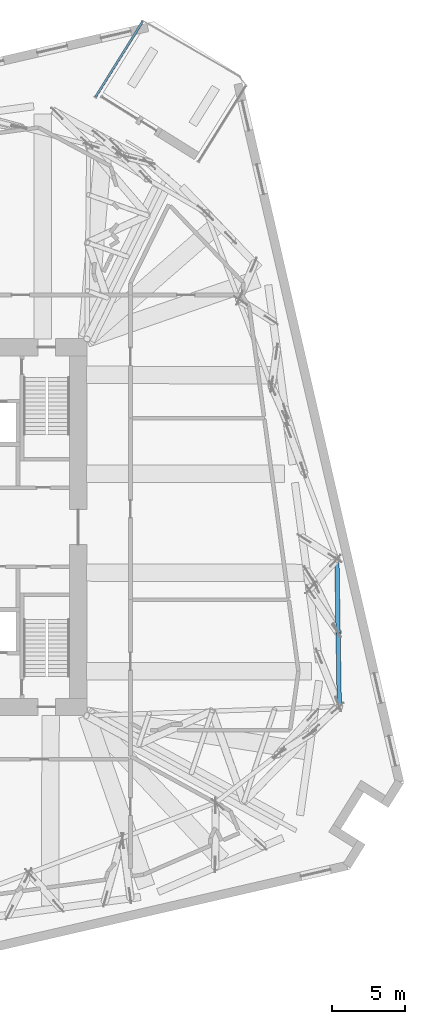
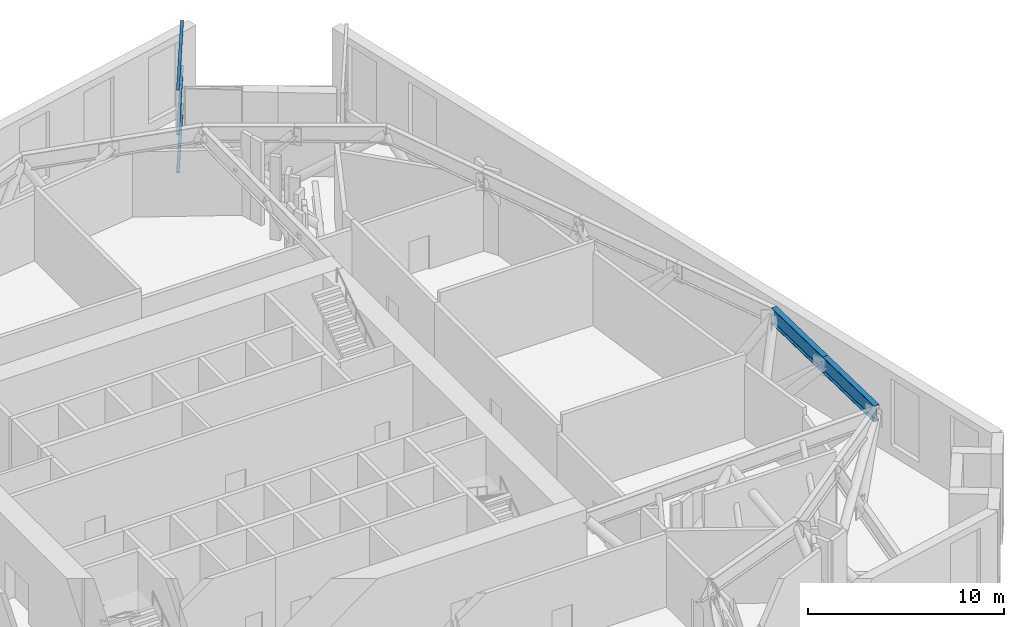
# One storey, part 5 of 17: 3 members, 2 beams, 1 element without a shape of its own.
"""IFC4 building model written with IfcOpenShell, lengths in metres."""

import ifcopenshell
import ifcopenshell.guid

model = None  # the IFC model being written
_history = None  # IfcOwnerHistory: only IFC2X3 demands one
_inside = {}  # id of a spatial element -> (the spatial element, [elements in it])
_under = {}  # id of a project, library or spatial element -> (it, [spatial elements below it])
_declared = {}  # id of a project -> (the project, [libraries it declares])
_typed = {}  # id of a type object -> (the type object, [elements of that type])
_made_of = {}  # id of a material, layer set ... -> (it, [elements and type objects made of it])


def new_model(schema):
    """Start an empty IFC model of exactly this schema.

    Asked for "IFC4X3", IfcOpenShell would pick the latest addendum, in which some entities
    have other attributes; the version numbers below select the first issue.
    IFC2X3 requires an IfcOwnerHistory on every rooted entity: one is made here for all.
    """
    global model, _history
    if schema == "IFC4X3":
        model = ifcopenshell.file(schema_version=(4, 3, 0, 0))
    else:
        model = ifcopenshell.file(schema=schema)
    _inside.clear()
    _under.clear()
    _declared.clear()
    _typed.clear()
    _made_of.clear()
    _history = None
    if model.schema == "IFC2X3":
        org = make("IfcOrganization", Name="unknown")
        user = make(
            "IfcPersonAndOrganization",
            ThePerson=make("IfcPerson", FamilyName="unknown"),
            TheOrganization=org,
        )
        app = make(
            "IfcApplication",
            ApplicationDeveloper=org,
            Version="unknown",
            ApplicationFullName="unknown",
            ApplicationIdentifier="unknown",
        )
        _history = make(
            "IfcOwnerHistory",
            OwningUser=user,
            OwningApplication=app,
            ChangeAction="ADDED",
            CreationDate=0,
        )
    return model


def make(cls, **values):
    """One entity of the class cls with the attributes given. An attribute that is None is left unset."""
    return model.create_entity(
        cls, **{name: value for name, value in values.items() if value is not None}
    )


def rooted(cls, **values):
    """An entity with a GlobalId (a new one), such as an element, a storey or a relation."""
    return make(cls, GlobalId=ifcopenshell.guid.new(), OwnerHistory=_history, **values)


def si_unit(unit_type, name, prefix=None):
    """IfcSIUnit, for example si_unit("LENGTHUNIT", "METRE", prefix="MILLI")."""
    return make("IfcSIUnit", UnitType=unit_type, Prefix=prefix, Name=name)


def assignment(units):
    """IfcUnitAssignment: the units of a project."""
    return None if units is None else make("IfcUnitAssignment", Units=units)


def point(xyz):
    """IfcCartesianPoint."""
    return None if xyz is None else make("IfcCartesianPoint", Coordinates=xyz)


def direction(xyz):
    """IfcDirection."""
    return None if xyz is None else make("IfcDirection", DirectionRatios=xyz)


def frame(location, z_axis=None, x_axis=None):
    """IfcAxis2Placement3D, a coordinate frame: its origin and axes. An axis left out is left unset."""
    return make(
        "IfcAxis2Placement3D",
        Location=point(location),
        Axis=direction(z_axis),
        RefDirection=direction(x_axis),
    )


def frame_2d(location, x_axis=None):
    """IfcAxis2Placement2D, a coordinate frame in the plane: its origin and x axis."""
    return make(
        "IfcAxis2Placement2D", Location=point(location), RefDirection=direction(x_axis)
    )


def origin():
    """The frame at (0, 0, 0) with its axes left unset."""
    return frame((0.0, 0.0, 0.0))


def origin_2d():
    """The frame at (0, 0) in the plane with its x axis left unset."""
    return frame_2d((0.0, 0.0))


def place(relative_to, where):
    """IfcLocalPlacement: puts the frame where relative to a parent placement (None: the world)."""
    return make(
        "IfcLocalPlacement", PlacementRelTo=relative_to, RelativePlacement=where
    )


def context(
    kind, dimensions, precision=None, world=None, true_north=None, identifier=None
):
    """IfcGeometricRepresentationContext, for example the 3D "Model" context."""
    return make(
        "IfcGeometricRepresentationContext",
        ContextIdentifier=identifier,
        ContextType=kind,
        CoordinateSpaceDimension=dimensions,
        Precision=precision,
        WorldCoordinateSystem=world,
        TrueNorth=true_north,
    )


def subcontext(parent, identifier, kind, view, scale=None):
    """IfcGeometricRepresentationSubContext, for example "Body" below "Model"."""
    return make(
        "IfcGeometricRepresentationSubContext",
        ContextIdentifier=identifier,
        ContextType=kind,
        ParentContext=parent,
        TargetScale=scale,
        TargetView=view,
    )


def project(units=None, contexts=None):
    """IfcProject with its units and contexts."""
    return rooted(
        "IfcProject",
        Name="project",
        RepresentationContexts=contexts,
        UnitsInContext=assignment(units),
    )


def spatial(cls, under=None, at=None, **own):
    """A site, building, storey or space (cls), placed at a placement, below another one or the project."""
    s = rooted(cls, ObjectPlacement=at, **own)
    if under is not None:
        _under.setdefault(under.id(), (under, []))[1].append(s)
    return s


def profile(cls, at=None, kind="AREA", **sizes):
    """A parametric profile (cls). Its sizes go by their IFC names, for example OverallWidth=200.0."""
    return make(cls, ProfileType=kind, Position=at, **sizes)


def rectangle(**sizes):
    """IfcRectangleProfileDef."""
    return profile("IfcRectangleProfileDef", **sizes)


def i_section(**sizes):
    """IfcIShapeProfileDef."""
    return profile("IfcIShapeProfileDef", **sizes)


def extrude(swept, where, along, depth):
    """IfcExtrudedAreaSolid: the profile swept, set in the frame where, extruded along a direction by depth."""
    return make(
        "IfcExtrudedAreaSolid",
        SweptArea=swept,
        Position=where,
        ExtrudedDirection=direction(along),
        Depth=depth,
    )


def shape(context_of_items, identifier, shape_type, items):
    """IfcShapeRepresentation: the items that make up one representation, for example the "Body"."""
    return make(
        "IfcShapeRepresentation",
        ContextOfItems=context_of_items,
        RepresentationIdentifier=identifier,
        RepresentationType=shape_type,
        Items=items,
    )


def material(Name=None, Category=None):
    """IfcMaterial."""
    return make("IfcMaterial", Name=Name, Category=Category)


def material_profile(
    of_material, cross_section, Name=None, Category=None, Priority=None
):
    """IfcMaterialProfile: a cross section and its material."""
    return make(
        "IfcMaterialProfile",
        Name=Name,
        Material=of_material,
        Profile=cross_section,
        Priority=Priority,
        Category=Category,
    )


def profile_set(profiles, Name=None, composite=None):
    """IfcMaterialProfileSet."""
    return make(
        "IfcMaterialProfileSet",
        Name=Name,
        MaterialProfiles=profiles,
        CompositeProfile=composite,
    )


def made_of(thing, what):
    """Note that an element or type object is made of a material, layer set ...; save() writes the relation."""
    if what is not None:
        _made_of.setdefault(what.id(), (what, []))[1].append(thing)
    return thing


def type_object(cls, material=None, **own):
    """A type object (cls), such as IfcWallType, which elements share."""
    return made_of(rooted(cls, **own), material)


def element(
    cls,
    number,
    at=None,
    inside=None,
    cuts=None,
    type_object=None,
    material=None,
    context=None,
    identifier="Body",
    shape_type=None,
    held_by="IfcProductDefinitionShape",
    body=None,
    shapes=None,
    **own,
):
    """One element of the class cls, such as IfcWall. Its Tag is "e" and its number.

    at: its placement. inside: the storey or other place that contains it. cuts: it is an
    opening in that element (IfcRelVoidsElement). A single representation is given by context,
    identifier, shape_type and body (its items); several are given by shapes. held_by: the class
    of the entity that holds the representations. save() writes the other relations.
    """
    e = rooted(cls, Tag="e%d" % number, ObjectPlacement=at, **own)
    if body is not None:
        shapes = [shape(context, identifier, shape_type, body)]
    if shapes is not None:
        e.Representation = make(held_by, Representations=shapes)
    if inside is not None:
        _inside.setdefault(inside.id(), (inside, []))[1].append(e)
    if cuts is not None:
        rooted(
            "IfcRelVoidsElement", RelatingBuildingElement=cuts, RelatedOpeningElement=e
        )
    if type_object is not None:
        _typed.setdefault(type_object.id(), (type_object, []))[1].append(e)
    return made_of(e, material)


def aggregate(whole, parts):
    """IfcRelAggregates: a whole, such as a stair, and the parts it consists of."""
    return rooted("IfcRelAggregates", RelatingObject=whole, RelatedObjects=parts)


def save(model, path):
    """Write the relations noted so far, then the file.

    IfcRelAggregates (storeys below a building ...), IfcRelContainedInSpatialStructure (elements
    in a storey), IfcRelDefinesByType, IfcRelAssociatesMaterial and IfcRelDeclares: one each for
    every whole, place, type object, material and project.
    """
    for whole, parts in _under.values():
        aggregate(whole, parts)
    for where, things in _inside.values():
        rooted(
            "IfcRelContainedInSpatialStructure",
            RelatedElements=things,
            RelatingStructure=where,
        )
    for kind, things in _typed.values():
        rooted("IfcRelDefinesByType", RelatedObjects=things, RelatingType=kind)
    for what, things in _made_of.values():
        rooted("IfcRelAssociatesMaterial", RelatedObjects=things, RelatingMaterial=what)
    for by, libraries in _declared.values():
        rooted("IfcRelDeclares", RelatingContext=by, RelatedDefinitions=libraries)
    model.write(path)


model = new_model("IFC4")

# Units and contexts
model_context = context("Model", 3, precision=1e-05, world=origin(), true_north=direction((0.0, 1.0)))
body_context = subcontext(model_context, "Body", "Model", "MODEL_VIEW")
ifc_project = project(units=[si_unit("LENGTHUNIT", "METRE"), si_unit("AREAUNIT", "SQUARE_METRE"), si_unit("VOLUMEUNIT", "CUBIC_METRE"), si_unit("PLANEANGLEUNIT", "RADIAN"), si_unit("MASSUNIT", "GRAM", prefix="KILO")], contexts=[model_context])

# Site, building, storey
site_placement = place(None, origin())
site = spatial("IfcSite", under=ifc_project, at=site_placement, CompositionType="ELEMENT")
building_placement = place(site_placement, origin())
building = spatial("IfcBuilding", under=site, at=building_placement, Name="Dilmun Exchange Tower", CompositionType="ELEMENT")
storey_placement = place(building_placement, frame((0.0, 0.0, 76.5)))
storey = spatial("IfcBuildingStorey", under=building, at=storey_placement, Name="L17", CompositionType="ELEMENT", Elevation=76.5)

# Curtain wall, members
ifc_material_1 = material(Name="Anodised aluminium and clear glass", Category="aluminium")
curtain_wall_type = type_object("IfcCurtainWallType", Name="Garden corner glazing", PredefinedType="NOTDEFINED", material=ifc_material_1)
curtain_wall_placement = place(storey_placement, origin())
curtain_wall = element("IfcCurtainWall", 1, at=curtain_wall_placement, inside=storey, type_object=curtain_wall_type, Name="Garden corner glazing run GC3.1", PredefinedType="NOTDEFINED")
ifc_material_2 = material(Name="Anodised aluminium", Category="aluminium")
ifc_material_profile_1 = material_profile(ifc_material_2, rectangle(XDim=0.159912109375, YDim=0.06005859375, at=origin_2d()), Name="AL 60x160")
ifc_profile_set_1 = profile_set([ifc_material_profile_1], Name="Anodised aluminium")
member_type = type_object("IfcMemberType", Name="Garden corner glazing transom 60 x 160", PredefinedType="USERDEFINED", material=ifc_profile_set_1)
member_1_placement = place(storey_placement, frame((13.5908203125, 29.655029296875, 0.030029296875), z_axis=(0.529923715671, 0.848045314573, 0.0), x_axis=(-0.848045314573, 0.529923715671, 0.0)))
member_1 = element("IfcMember", 2, at=member_1_placement, type_object=member_type, Name="GC3.1 transom 1.1", ObjectType="TRANSOM", PredefinedType="USERDEFINED", context=body_context, shape_type="SweptSolid", body=[
    extrude(rectangle(XDim=0.159912109375, YDim=0.06005859375, at=origin_2d()), origin(), (0.0, 0.0, 1.0), 6.12646484375),
])
member_2_placement = place(storey_placement, frame((13.5908203125, 29.655029296875, 2.39990234375), z_axis=(0.529923715671, 0.848045314573, 0.0), x_axis=(-0.848045314573, 0.529923715671, 0.0)))
member_2 = element("IfcMember", 3, at=member_2_placement, type_object=member_type, Name="GC3.1 transom 1.2", ObjectType="TRANSOM", PredefinedType="USERDEFINED", context=body_context, shape_type="SweptSolid", body=[
    extrude(rectangle(XDim=0.159912109375, YDim=0.06005859375, at=origin_2d()), origin(), (0.0, 0.0, 1.0), 6.12646484375),
])
member_3_placement = place(storey_placement, frame((13.5908203125, 29.655029296875, 5.14990234375), z_axis=(0.529923715671, 0.848045314573, 0.0), x_axis=(-0.848045314573, 0.529923715671, 0.0)))
member_3 = element("IfcMember", 4, at=member_3_placement, type_object=member_type, Name="GC3.1 transom 1.3", ObjectType="TRANSOM", PredefinedType="USERDEFINED", context=body_context, shape_type="SweptSolid", body=[
    extrude(rectangle(XDim=0.159912109375, YDim=0.06005859375, at=origin_2d()), origin(), (0.0, 0.0, 1.0), 6.12646484375),
])
aggregate(curtain_wall, [member_1, member_2, member_3])

# Beams
ifc_material_3 = material(Name="Steel S355", Category="steel")
ifc_material_profile_2 = material_profile(ifc_material_3, i_section(OverallWidth=0.302001953125, OverallDepth=1.008056640625, WebThickness=0.02099609375, FlangeThickness=0.0400390625, FilletRadius=0.030029296875, at=origin_2d()), Name="HEM 1000")
ifc_profile_set_2 = profile_set([ifc_material_profile_2], Name="Steel S355")
beam_type = type_object("IfcBeamType", Name="transfer chord HEM 1000", PredefinedType="BEAM", material=ifc_profile_set_2)
for number, where, z_axis, x_axis, name in (
    (5, (30.39404296875, -12.37109375, 4.676025390625), (-0.016047909122, 0.999871224015, 0.0), (-0.999871224015, -0.016047909122, 0.0), "Transfer chord 25"),
    (6, (30.3125, -7.29052734375, 4.676025390625), (-0.016047909122, 0.999871224015, 0.0), (-0.999871224015, -0.016047909122, 0.0), "Transfer chord 26"),
):
    element("IfcBeam", number, at=place(storey_placement, frame(where, z_axis=z_axis, x_axis=x_axis)), inside=storey, type_object=beam_type, Name=name, PredefinedType="BEAM", context=body_context, shape_type="SweptSolid", body=[
        extrude(i_section(OverallWidth=0.302001953125, OverallDepth=1.008056640625, WebThickness=0.02099609375, FlangeThickness=0.0400390625, FilletRadius=0.030029296875, at=origin_2d()), origin(), (0.0, 0.0, 1.0), 5.081298828125),
    ])

save(model, "model.ifc")
